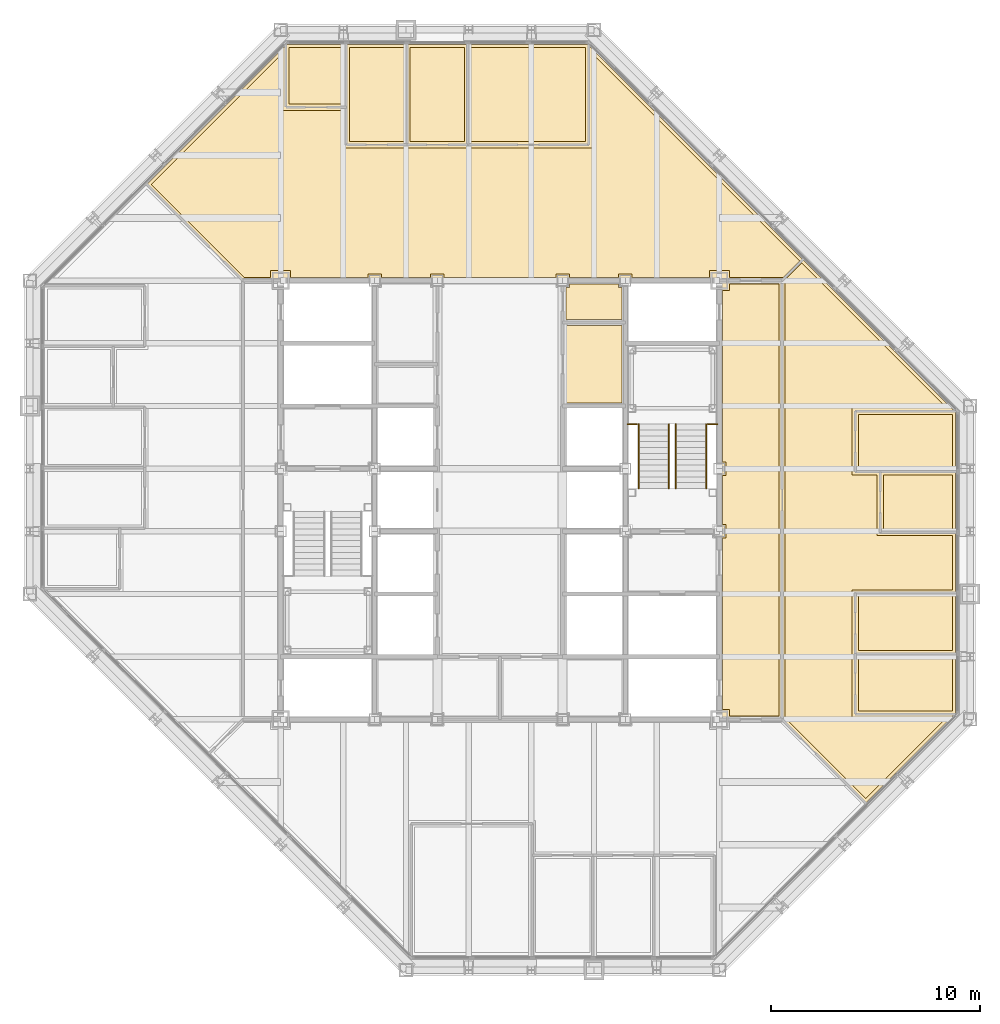
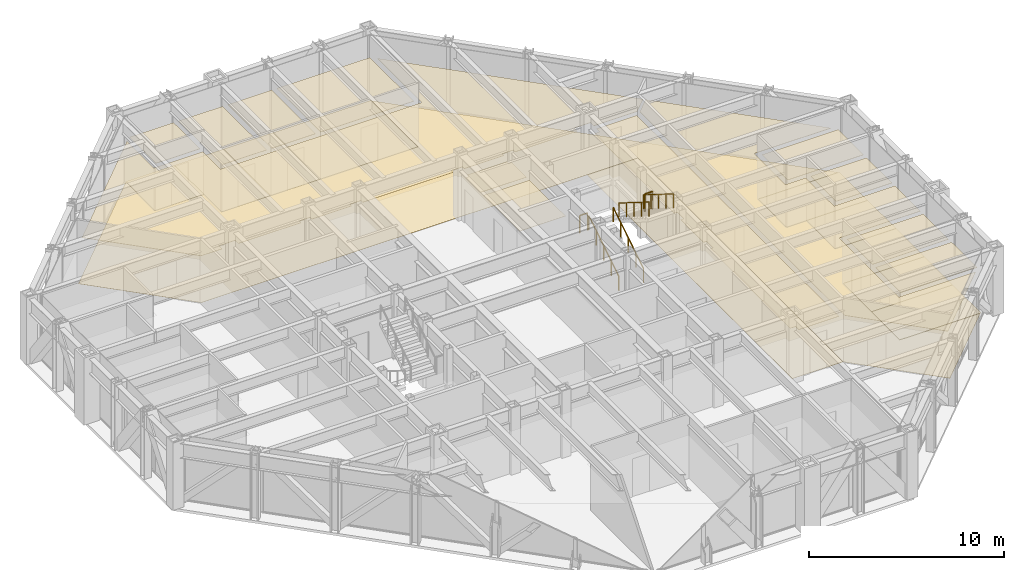
# One storey, part 16 of 16: 23 coverings, 6 railings.
"""IFC4 building model written with IfcOpenShell, lengths in metres."""

from ifc_helpers import new_model, si_unit, direction, frame, origin, origin_2d, place, context, subcontext, project, spatial, polyline, circle, outline, extrude, material, layer, layer_set, type_object, element, save


model = new_model("IFC4")

# Units and contexts
model_context = context("Model", 3, precision=1e-05, world=origin(), true_north=direction((0.0, 1.0)))
body_context = subcontext(model_context, "Body", "Model", "MODEL_VIEW")
ifc_project = project(units=[si_unit("LENGTHUNIT", "METRE"), si_unit("AREAUNIT", "SQUARE_METRE"), si_unit("VOLUMEUNIT", "CUBIC_METRE"), si_unit("PLANEANGLEUNIT", "RADIAN"), si_unit("MASSUNIT", "GRAM", prefix="KILO")], contexts=[model_context])

# Site, building, storey
site_placement = place(None, origin())
site = spatial("IfcSite", under=ifc_project, at=site_placement, CompositionType="ELEMENT")
building_placement = place(site_placement, origin())
building = spatial("IfcBuilding", under=site, at=building_placement, Name="Chuquiago Exchange Tower", CompositionType="ELEMENT")
storey_placement = place(building_placement, frame((0.0, 0.0, 218.10009765625)))
storey = spatial("IfcBuildingStorey", under=building, at=storey_placement, Name="L48", CompositionType="ELEMENT", Elevation=218.10009765625)

# Coverings
ifc_material_1 = material(Name="Mineral fibre tile, 600 x 600, on pale metal grid", Category="mineral fibre")
ifc_layer_1 = layer(ifc_material_1, 0.02001953125)
ifc_layer_set_1 = layer_set([ifc_layer_1], Name="CL1 suspended tile ceiling 20")
covering_type_1 = type_object("IfcCoveringType", Name="CL1 suspended tile ceiling 20", PredefinedType="CEILING", material=ifc_layer_set_1)
covering_1_placement = place(storey_placement, frame((0.0, 0.0, 2.7998046875)))
element("IfcCovering", 1, at=covering_1_placement, inside=storey, type_object=covering_type_1, Name="Ceiling Compliance office", PredefinedType="CEILING", context=body_context, shape_type="SweptSolid", body=[
    extrude(outline(polyline([(39.64990234375, 12.3984375), (39.64990234375, 14.9990234375), (44.14990234375, 14.9990234375), (44.14990234375, 12.3984375), (39.64990234375, 12.3984375)])), origin(), (0.0, 0.0, 1.0), 0.02001953125),
])
covering_2_placement = place(storey_placement, frame((0.0, 0.0, 2.7998046875)))
element("IfcCovering", 2, at=covering_2_placement, inside=storey, type_object=covering_type_1, Name="Ceiling Compliance office", PredefinedType="CEILING", context=body_context, shape_type="SweptSolid", body=[
    extrude(outline(polyline([(39.64990234375, 15.299072265625), (39.64990234375, 17.899658203125), (44.14990234375, 17.899658203125), (44.14990234375, 15.299072265625), (39.64990234375, 15.299072265625)])), origin(), (0.0, 0.0, 1.0), 0.02001953125),
])
covering_3_placement = place(storey_placement, frame((0.0, 0.0, 2.7998046875)))
element("IfcCovering", 3, at=covering_3_placement, inside=storey, type_object=covering_type_1, Name="Ceiling Pantry", PredefinedType="CEILING", context=body_context, shape_type="SweptSolid", body=[
    extrude(outline(polyline([(40.85009765625, 21.100341796875), (40.85009765625, 23.700927734375), (44.14990234375, 23.700927734375), (44.14990234375, 21.100341796875), (40.85009765625, 21.100341796875)])), origin(), (0.0, 0.0, 1.0), 0.02001953125),
])
covering_4_placement = place(storey_placement, frame((0.0, 0.0, 2.7998046875)))
element("IfcCovering", 4, at=covering_4_placement, inside=storey, type_object=covering_type_1, Name="Ceiling Meeting room", PredefinedType="CEILING", context=body_context, shape_type="SweptSolid", body=[
    extrude(outline(polyline([(44.14990234375, 24.0009765625), (39.64990234375, 24.0009765625), (39.64990234375, 26.6015625), (44.14990234375, 26.6015625), (44.14990234375, 24.0009765625)])), origin(), (0.0, 0.0, 1.0), 0.02001953125),
])
covering_5_placement = place(storey_placement, frame((0.0, 0.0, 2.7998046875)))
element("IfcCovering", 5, at=covering_5_placement, inside=storey, type_object=covering_type_1, Name="Ceiling Focus room", PredefinedType="CEILING", context=body_context, shape_type="SweptSolid", body=[
    extrude(outline(polyline([(14.9990234375, 44.14990234375), (14.9990234375, 41.449951171875), (12.3984375, 41.449951171875), (12.3984375, 44.14990234375), (14.9990234375, 44.14990234375)])), origin(), (0.0, 0.0, 1.0), 0.02001953125),
])
covering_6_placement = place(storey_placement, frame((0.0, 0.0, 2.7998046875)))
element("IfcCovering", 6, at=covering_6_placement, inside=storey, type_object=covering_type_1, Name="Ceiling Compliance office", PredefinedType="CEILING", context=body_context, shape_type="SweptSolid", body=[
    extrude(outline(polyline([(17.899658203125, 39.64990234375), (15.299072265625, 39.64990234375), (15.299072265625, 44.14990234375), (17.899658203125, 44.14990234375), (17.899658203125, 39.64990234375)])), origin(), (0.0, 0.0, 1.0), 0.02001953125),
])
covering_7_placement = place(storey_placement, frame((0.0, 0.0, 2.7998046875)))
element("IfcCovering", 7, at=covering_7_placement, inside=storey, type_object=covering_type_1, Name="Ceiling Compliance office", PredefinedType="CEILING", context=body_context, shape_type="SweptSolid", body=[
    extrude(outline(polyline([(20.80029296875, 39.64990234375), (18.19970703125, 39.64990234375), (18.19970703125, 44.14990234375), (20.80029296875, 44.14990234375), (20.80029296875, 39.64990234375)])), origin(), (0.0, 0.0, 1.0), 0.02001953125),
])
covering_8_placement = place(storey_placement, frame((0.0, 0.0, 2.7998046875)))
element("IfcCovering", 8, at=covering_8_placement, inside=storey, type_object=covering_type_1, Name="Ceiling Meeting room", PredefinedType="CEILING", context=body_context, shape_type="SweptSolid", body=[
    extrude(outline(polyline([(26.6015625, 39.64990234375), (21.100341796875, 39.64990234375), (21.100341796875, 44.14990234375), (26.6015625, 44.14990234375), (26.6015625, 39.64990234375)])), origin(), (0.0, 0.0, 1.0), 0.02001953125),
])
covering_9_placement = place(storey_placement, frame((0.0, 0.0, 2.7998046875)))
element("IfcCovering", 9, at=covering_9_placement, inside=storey, type_object=covering_type_1, Name="Ceiling Circulation corridor", PredefinedType="CEILING", context=body_context, shape_type="SweptSolid", body=[
    extrude(outline(polyline([(35.85009765625, 32.85009765625), (35.85009765625, 12.14990234375), (33.47509765625, 12.14990234375), (33.47509765625, 12.47509765625), (33.14990234375, 12.47509765625), (33.14990234375, 20.675048828125), (33.324951171875, 20.675048828125), (33.324951171875, 21.324951171875), (33.14990234375, 21.324951171875), (33.14990234375, 23.675048828125), (33.324951171875, 23.675048828125), (33.324951171875, 24.324951171875), (33.14990234375, 24.324951171875), (33.14990234375, 32.52490234375), (33.47509765625, 32.52490234375), (33.47509765625, 32.85009765625), (35.85009765625, 32.85009765625)])), origin(), (0.0, 0.0, 1.0), 0.02001953125),
])
covering_10_placement = place(storey_placement, frame((0.0, 0.0, 2.7998046875)))
element("IfcCovering", 10, at=covering_10_placement, inside=storey, type_object=covering_type_1, Name="Ceiling Open office north", PredefinedType="CEILING", context=body_context, shape_type="SweptSolid", body=[
    extrude(outline(polyline([(14.9990234375, 41.14990234375), (14.9990234375, 39.35009765625), (26.901611328125, 39.35009765625), (26.901611328125, 43.896484375), (36.849609375, 33.948486328125), (36.051025390625, 33.14990234375), (33.47509765625, 33.14990234375), (33.47509765625, 33.47509765625), (32.52490234375, 33.47509765625), (32.52490234375, 33.14990234375), (28.824951171875, 33.14990234375), (28.824951171875, 33.324951171875), (28.175048828125, 33.324951171875), (28.175048828125, 33.14990234375), (25.824951171875, 33.14990234375), (25.824951171875, 33.324951171875), (25.175048828125, 33.324951171875), (25.175048828125, 33.14990234375), (19.824951171875, 33.14990234375), (19.824951171875, 33.324951171875), (19.175048828125, 33.324951171875), (19.175048828125, 33.14990234375), (16.824951171875, 33.14990234375), (16.824951171875, 33.324951171875), (16.175048828125, 33.324951171875), (16.175048828125, 33.14990234375), (12.47509765625, 33.14990234375), (12.47509765625, 33.47509765625), (11.52490234375, 33.47509765625), (11.52490234375, 33.14990234375), (10.2626953125, 33.14990234375), (5.807373046875, 37.60546875), (12.098388671875, 43.896484375), (12.098388671875, 41.14990234375), (14.9990234375, 41.14990234375)])), origin(), (0.0, 0.0, 1.0), 0.02001953125),
])
covering_11_placement = place(storey_placement, frame((0.0, 0.0, 2.7998046875)))
element("IfcCovering", 11, at=covering_11_placement, inside=storey, type_object=covering_type_1, Name="Ceiling Open office north", PredefinedType="CEILING", context=body_context, shape_type="SweptSolid", body=[
    extrude(outline(polyline([(43.896484375, 26.901611328125), (39.35009765625, 26.901611328125), (39.35009765625, 23.700927734375), (40.550048828125, 23.700927734375), (40.550048828125, 20.80029296875), (44.14990234375, 20.80029296875), (44.14990234375, 18.19970703125), (39.35009765625, 18.19970703125), (39.35009765625, 12.098388671875), (43.896484375, 12.098388671875), (40.00537109375, 8.20751953125), (36.14990234375, 12.0625), (36.14990234375, 33.051025390625), (36.948486328125, 33.849609375), (43.896484375, 26.901611328125)])), origin(), (0.0, 0.0, 1.0), 0.02001953125),
])
ifc_material_2 = material(Name="Moisture resistant plasterboard on metal frame", Category="gypsum")
ifc_layer_2 = layer(ifc_material_2, 0.014892578125)
ifc_layer_set_2 = layer_set([ifc_layer_2], Name="CL2 moisture resistant ceiling 15")
covering_type_2 = type_object("IfcCoveringType", Name="CL2 moisture resistant ceiling 15", PredefinedType="CEILING", material=ifc_layer_set_2)
covering_12_placement = place(storey_placement, frame((0.0, 0.0, 2.599853515625)))
element("IfcCovering", 12, at=covering_12_placement, inside=storey, type_object=covering_type_2, Name="Ceiling Female WC", PredefinedType="CEILING", context=body_context, shape_type="SweptSolid", body=[
    extrude(outline(polyline([(25.64990234375, 27.14990234375), (25.64990234375, 30.85009765625), (28.35009765625, 30.85009765625), (28.35009765625, 27.14990234375), (25.64990234375, 27.14990234375)])), origin(), (0.0, 0.0, 1.0), 0.01513671875),
])
covering_13_placement = place(storey_placement, frame((0.0, 0.0, 2.599853515625)))
element("IfcCovering", 13, at=covering_13_placement, inside=storey, type_object=covering_type_2, Name="Ceiling Staff shower room", PredefinedType="CEILING", context=body_context, shape_type="SweptSolid", body=[
    extrude(outline(polyline([(25.64990234375, 31.14990234375), (25.64990234375, 32.675048828125), (25.824951171875, 32.675048828125), (25.824951171875, 32.85009765625), (28.175048828125, 32.85009765625), (28.175048828125, 32.675048828125), (28.35009765625, 32.675048828125), (28.35009765625, 31.14990234375), (25.64990234375, 31.14990234375)])), origin(), (0.0, 0.0, 1.0), 0.01513671875),
])
ifc_material_3 = material(Name="Carpet tile, 500 x 500, on the floor slab", Category="textile")
ifc_layer_3 = layer(ifc_material_3, 0.010009765625)
ifc_layer_set_3 = layer_set([ifc_layer_3], Name="FL1 carpet tile 10")
covering_type_3 = type_object("IfcCoveringType", Name="FL1 carpet tile 10", PredefinedType="FLOORING", material=ifc_layer_set_3)
covering_14_placement = place(storey_placement, origin())
element("IfcCovering", 14, at=covering_14_placement, inside=storey, type_object=covering_type_3, Name="Floor finish Compliance office", PredefinedType="FLOORING", context=body_context, shape_type="SweptSolid", body=[
    extrude(outline(polyline([(44.300048828125, 12.289794921875), (44.258544921875, 12.24853515625), (39.5, 12.24853515625), (39.5, 15.149169921875), (44.300048828125, 15.149169921875), (44.300048828125, 12.289794921875)])), origin(), (0.0, 0.0, 1.0), 0.010009765625),
])
covering_15_placement = place(storey_placement, origin())
element("IfcCovering", 15, at=covering_15_placement, inside=storey, type_object=covering_type_3, Name="Floor finish Compliance office", PredefinedType="FLOORING", context=body_context, shape_type="SweptSolid", body=[
    extrude(outline(polyline([(44.300048828125, 15.149169921875), (39.5, 15.149169921875), (39.5, 18.0498046875), (44.300048828125, 18.0498046875), (44.300048828125, 15.149169921875)])), origin(), (0.0, 0.0, 1.0), 0.010009765625),
])
covering_16_placement = place(storey_placement, origin())
element("IfcCovering", 16, at=covering_16_placement, inside=storey, type_object=covering_type_3, Name="Floor finish Meeting room", PredefinedType="FLOORING", context=body_context, shape_type="SweptSolid", body=[
    extrude(outline(polyline([(44.300048828125, 26.710205078125), (44.300048828125, 23.850830078125), (39.5, 23.850830078125), (39.5, 26.75146484375), (44.258544921875, 26.75146484375), (44.300048828125, 26.710205078125)])), origin(), (0.0, 0.0, 1.0), 0.010009765625),
])
covering_17_placement = place(storey_placement, origin())
element("IfcCovering", 17, at=covering_17_placement, inside=storey, type_object=covering_type_3, Name="Floor finish Focus room", PredefinedType="FLOORING", context=body_context, shape_type="SweptSolid", body=[
    extrude(outline(polyline([(12.289794921875, 44.300048828125), (15.149169921875, 44.300048828125), (15.149169921875, 41.300048828125), (12.24853515625, 41.300048828125), (12.24853515625, 44.258544921875), (12.289794921875, 44.300048828125)])), origin(), (0.0, 0.0, 1.0), 0.010009765625),
])
covering_18_placement = place(storey_placement, origin())
element("IfcCovering", 18, at=covering_18_placement, inside=storey, type_object=covering_type_3, Name="Floor finish Compliance office", PredefinedType="FLOORING", context=body_context, shape_type="SweptSolid", body=[
    extrude(outline(polyline([(18.0498046875, 44.300048828125), (18.0498046875, 39.5), (15.149169921875, 39.5), (15.149169921875, 44.300048828125), (18.0498046875, 44.300048828125)])), origin(), (0.0, 0.0, 1.0), 0.010009765625),
])
covering_19_placement = place(storey_placement, origin())
element("IfcCovering", 19, at=covering_19_placement, inside=storey, type_object=covering_type_3, Name="Floor finish Compliance office", PredefinedType="FLOORING", context=body_context, shape_type="SweptSolid", body=[
    extrude(outline(polyline([(20.9501953125, 44.300048828125), (20.9501953125, 39.5), (18.0498046875, 39.5), (18.0498046875, 44.300048828125), (20.9501953125, 44.300048828125)])), origin(), (0.0, 0.0, 1.0), 0.010009765625),
])
covering_20_placement = place(storey_placement, origin())
element("IfcCovering", 20, at=covering_20_placement, inside=storey, type_object=covering_type_3, Name="Floor finish Meeting room", PredefinedType="FLOORING", context=body_context, shape_type="SweptSolid", body=[
    extrude(outline(polyline([(26.710205078125, 44.300048828125), (26.75146484375, 44.258544921875), (26.75146484375, 39.5), (20.9501953125, 39.5), (20.9501953125, 44.300048828125), (26.710205078125, 44.300048828125)])), origin(), (0.0, 0.0, 1.0), 0.010009765625),
])
covering_21_placement = place(storey_placement, origin())
element("IfcCovering", 21, at=covering_21_placement, inside=storey, type_object=covering_type_3, Name="Floor finish Open office north", PredefinedType="FLOORING", context=body_context, shape_type="SweptSolid", body=[
    extrude(outline(polyline([(12.24853515625, 41.300048828125), (15.149169921875, 41.300048828125), (15.149169921875, 39.5), (26.75146484375, 39.5), (26.75146484375, 44.258544921875), (44.258544921875, 26.75146484375), (39.5, 26.75146484375), (39.5, 23.850830078125), (40.699951171875, 23.850830078125), (40.699951171875, 20.9501953125), (44.300048828125, 20.9501953125), (44.300048828125, 18.0498046875), (39.5, 18.0498046875), (39.5, 12.24853515625), (44.258544921875, 12.24853515625), (44.300048828125, 12.289794921875), (40.00537109375, 7.995361328125), (36.0, 12.00048828125), (36.0, 33.0), (10.200439453125, 33.0), (5.59521484375, 37.60546875), (12.289794921875, 44.300048828125), (12.24853515625, 44.258544921875), (12.24853515625, 41.300048828125)])), origin(), (0.0, 0.0, 1.0), 0.010009765625),
])
ifc_material_4 = material(Name="Porcelain floor tile, 600 x 600, on adhesive bed", Category="ceramic")
ifc_layer_4 = layer(ifc_material_4, 0.014892578125)
ifc_layer_set_4 = layer_set([ifc_layer_4], Name="FL2 porcelain tile 15")
covering_type_4 = type_object("IfcCoveringType", Name="FL2 porcelain tile 15", PredefinedType="FLOORING", material=ifc_layer_set_4)
covering_22_placement = place(storey_placement, origin())
element("IfcCovering", 22, at=covering_22_placement, inside=storey, type_object=covering_type_4, Name="Floor finish Pantry", PredefinedType="FLOORING", context=body_context, shape_type="SweptSolid", body=[
    extrude(outline(polyline([(44.300048828125, 20.9501953125), (40.699951171875, 20.9501953125), (40.699951171875, 23.850830078125), (44.300048828125, 23.850830078125), (44.300048828125, 20.9501953125)])), origin(), (0.0, 0.0, 1.0), 0.014892578125),
])
covering_23_placement = place(storey_placement, origin())
element("IfcCovering", 23, at=covering_23_placement, inside=storey, type_object=covering_type_4, Name="Floor finish Circulation corridor", PredefinedType="FLOORING", context=body_context, shape_type="SweptSolid", body=[
    extrude(outline(polyline([(33.0, 33.0), (36.0, 33.0), (36.0, 12.0), (33.0, 12.0), (33.0, 33.0)])), origin(), (0.0, 0.0, 1.0), 0.014892578125),
])

# Railings
ifc_material_5 = material(Name="Pale metal guard with safety glass infill", Category="glass")
railing_type_1 = type_object("IfcRailingType", Name="GR1 guard 1100", PredefinedType="GUARDRAIL", material=ifc_material_5)
for number, where, name in (
    (24, (28.60009765625, 26.1298828125, 2.099853515625), "Guard ST2 L48 landing 2"),
    (25, (32.445068359375, 26.1298828125, 2.099853515625), "Guard ST2 L48 landing 2"),
):
    element("IfcRailing", number, at=place(storey_placement, frame(where)), inside=storey, type_object=railing_type_1, Name=name, PredefinedType="GUARDRAIL", context=body_context, shape_type="SweptSolid", body=[
        extrude(circle(Radius=0.02392578125, at=origin_2d()), frame((0.0, 0.0, 1.076171875), z_axis=(1.0, 0.0, 0.0), x_axis=(0.0, 1.0, 0.0)), (0.0, 0.0, 1.0), 0.454833984375),
        extrude(circle(Radius=0.02099609375, at=origin_2d()), origin(), (0.0, 0.0, 1.0), 1.052001953125),
        extrude(circle(Radius=0.02099609375, at=origin_2d()), frame((0.454833984375, 0.0, 0.0)), (0.0, 0.0, 1.0), 1.052001953125),
    ])
ifc_material_6 = material(Name="Pale metal handrail", Category="steel")
railing_type_2 = type_object("IfcRailingType", Name="HR1 handrail 900", PredefinedType="HANDRAIL", material=ifc_material_6)
for number, where, name in (
    (26, (30.5849609375, 23.050048828125, 0.1748046875), "Handrail ST2 L48 flight 1"),
    (27, (29.135009765625, 23.050048828125, 0.1748046875), "Handrail ST2 L48 flight 1"),
):
    element("IfcRailing", number, at=place(storey_placement, frame(where)), inside=storey, type_object=railing_type_2, Name=name, PredefinedType="HANDRAIL", context=body_context, shape_type="SweptSolid", body=[
        extrude(circle(Radius=0.02392578125, at=origin_2d()), frame((0.0, 0.0, 0.8759765625), z_axis=(0.0, 0.847979421464, 0.530029150871), x_axis=(-1.0, 0.0, 0.0)), (0.0, 0.0, 1.0), 3.632080078125),
        extrude(circle(Radius=0.02099609375, at=origin_2d()), origin(), (0.0, 0.0, 1.0), 0.851806640625),
        extrude(circle(Radius=0.02099609375, at=origin_2d()), frame((0.0, 0.77001953125, 0.481201171875)), (0.0, 0.0, 1.0), 0.851806640625),
        extrude(circle(Radius=0.02099609375, at=origin_2d()), frame((0.0, 1.5400390625, 0.96240234375)), (0.0, 0.0, 1.0), 0.851806640625),
        extrude(circle(Radius=0.02099609375, at=origin_2d()), frame((0.0, 2.309814453125, 1.44384765625)), (0.0, 0.0, 1.0), 0.851806640625),
        extrude(circle(Radius=0.02099609375, at=origin_2d()), frame((0.0, 3.079833984375, 1.925048828125)), (0.0, 0.0, 1.0), 0.851806640625),
    ])
for number, where, name in (
    (28, (30.9150390625, 26.1298828125, 2.27490234375), "Handrail ST2 L48 flight 2"),
    (29, (32.364990234375, 26.1298828125, 2.27490234375), "Handrail ST2 L48 flight 2"),
):
    element("IfcRailing", number, at=place(storey_placement, frame(where)), inside=storey, type_object=railing_type_2, Name=name, PredefinedType="HANDRAIL", context=body_context, shape_type="SweptSolid", body=[
        extrude(circle(Radius=0.02392578125, at=origin_2d()), frame((0.0, 0.0, 0.8759765625), z_axis=(0.0, -0.847979421464, 0.530029150871), x_axis=(1.0, 0.0, 0.0)), (0.0, 0.0, 1.0), 3.632080078125),
        extrude(circle(Radius=0.02099609375, at=origin_2d()), origin(), (0.0, 0.0, 1.0), 0.851806640625),
        extrude(circle(Radius=0.02099609375, at=origin_2d()), frame((0.0, -0.77001953125, 0.481201171875)), (0.0, 0.0, 1.0), 0.851806640625),
        extrude(circle(Radius=0.02099609375, at=origin_2d()), frame((0.0, -1.5400390625, 0.96240234375)), (0.0, 0.0, 1.0), 0.851806640625),
        extrude(circle(Radius=0.02099609375, at=origin_2d()), frame((0.0, -2.309814453125, 1.44384765625)), (0.0, 0.0, 1.0), 0.851806640625),
        extrude(circle(Radius=0.02099609375, at=origin_2d()), frame((0.0, -3.079833984375, 1.925048828125)), (0.0, 0.0, 1.0), 0.851806640625),
    ])

save(model, "model.ifc")
